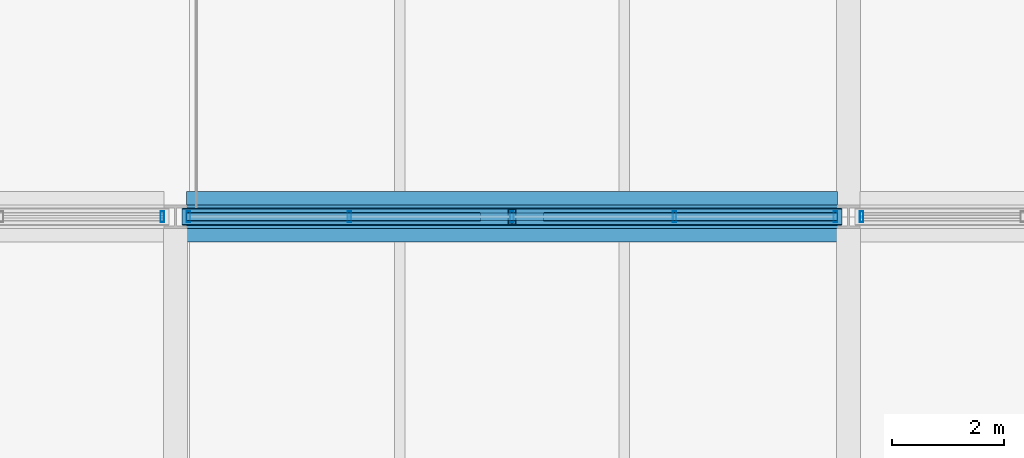
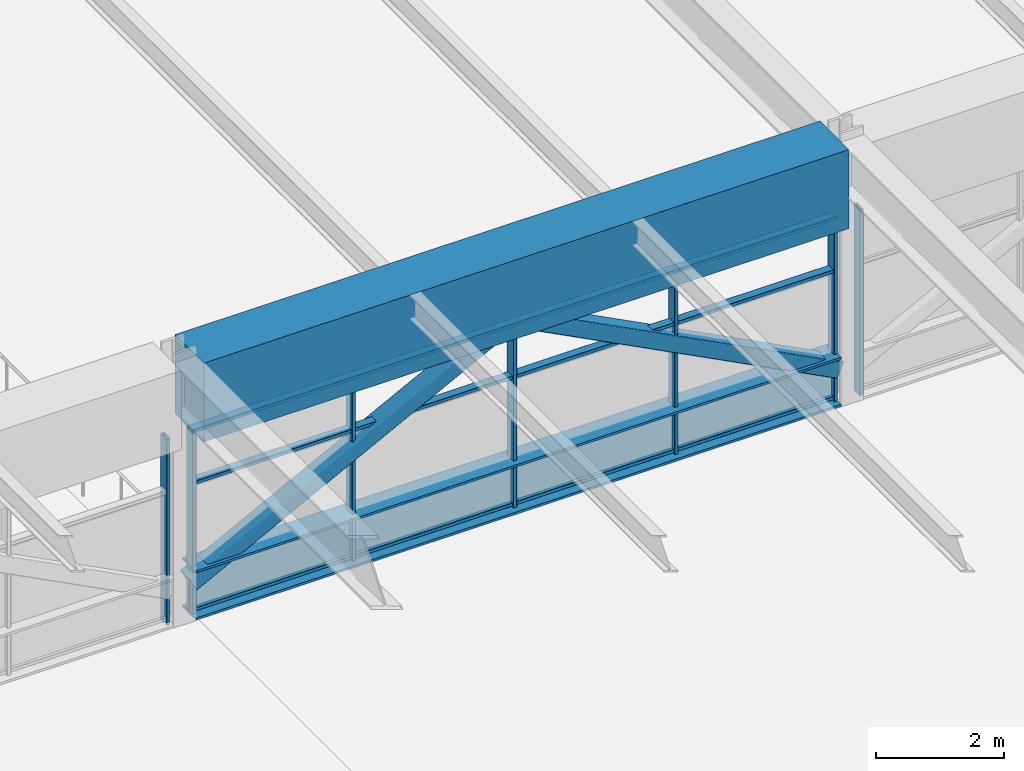
# One storey, part 24 of 42: 13 members, 1 beam, 3 elements without a shape of their own.
"""IFC4 building model written with IfcOpenShell, lengths in metres."""

from ifc_helpers import new_model, si_unit, direction, frame, origin, origin_2d, place, context, subcontext, project, spatial, rectangle, hollow_rectangle, i_section, extrude, material, material_profile, profile_set, type_object, element, aggregate, save


model = new_model("IFC4")

# Units and contexts
model_context = context("Model", 3, precision=1e-05, world=origin(), true_north=direction((0.0, 1.0)))
body_context = subcontext(model_context, "Body", "Model", "MODEL_VIEW")
ifc_project = project(units=[si_unit("LENGTHUNIT", "METRE"), si_unit("AREAUNIT", "SQUARE_METRE"), si_unit("VOLUMEUNIT", "CUBIC_METRE"), si_unit("PLANEANGLEUNIT", "RADIAN"), si_unit("MASSUNIT", "GRAM", prefix="KILO")], contexts=[model_context])

# Site, building, storey
site_placement = place(None, origin())
site = spatial("IfcSite", under=ifc_project, at=site_placement, CompositionType="ELEMENT")
building_placement = place(site_placement, origin())
building = spatial("IfcBuilding", under=site, at=building_placement, Name="Girod Span Mobility Hub", CompositionType="ELEMENT")
storey_placement = place(building_placement, frame((0.0, 0.0, 32.39990234375)))
storey = spatial("IfcBuildingStorey", under=building, at=storey_placement, Name="L08", CompositionType="ELEMENT", Elevation=32.39990234375)

# Beam
ifc_material_1 = material(Name="Concrete C50/60", Category="concrete")
ifc_material_profile_1 = material_profile(ifc_material_1, rectangle(XDim=0.89990234375, YDim=1.5, at=origin_2d()), Name="TG-900X1500")
ifc_profile_set_1 = profile_set([ifc_material_profile_1], Name="Concrete C50/60")
beam_type = type_object("IfcBeamType", Name="BM-TG-900X1500", PredefinedType="T_BEAM", material=ifc_profile_set_1)
beam_placement = place(storey_placement, frame((84.199951171875, 69.0, 4.2900390625), z_axis=(1.0, 0.0, 0.0), x_axis=(0.0, 1.0, 0.0)))
element("IfcBeam", 1, at=beam_placement, inside=storey, type_object=beam_type, Name="Girder 8-9/F L08", PredefinedType="T_BEAM", context=body_context, shape_type="SweptSolid", body=[
    extrude(rectangle(XDim=0.89990234375, YDim=1.5, at=origin_2d()), origin(), (0.0, 0.0, 1.0), 11.60009765625),
])

# Curtain wall, member
ifc_material_2 = material(Name="Thermally Broken Anodised Aluminium", Category="aluminium")
curtain_wall_type = type_object("IfcCurtainWallType", Name="CW-1160X354", PredefinedType="USERDEFINED", material=ifc_material_2)
curtain_wall_1_placement = place(storey_placement, origin())
curtain_wall_1 = element("IfcCurtainWall", 2, at=curtain_wall_1_placement, inside=storey, type_object=curtain_wall_type, Name="Unitised Curtain Wall CW-L08-N07 L08", ObjectType="UNITISED CURTAIN WALL", PredefinedType="USERDEFINED")
ifc_material_3 = material(Name="Thermally Broken Anodised Aluminium", Category="aluminium")
ifc_material_profile_2 = material_profile(ifc_material_3, hollow_rectangle(XDim=0.199951171875, YDim=0.06494140625, WallThickness=0.00390625, InnerFilletRadius=0.00390625, OuterFilletRadius=0.008056640625, at=origin_2d()), Name="CW-ML-65X200")
ifc_profile_set_2 = profile_set([ifc_material_profile_2], Name="Thermally Broken Anodised Aluminium")
member_type_1 = type_object("IfcMemberType", Name="CWM-ML-1", PredefinedType="MULLION", material=ifc_profile_set_2)
member_1_placement = place(storey_placement, frame((83.76708984375, 69.0, 0.0), z_axis=(0.0, 0.0, 1.0), x_axis=(0.0, 1.0, 0.0)))
member_1 = element("IfcMember", 3, at=member_1_placement, type_object=member_type_1, Name="Curtain Wall Mullion CW-L08-N07-M4", PredefinedType="MULLION", context=body_context, shape_type="SweptSolid", body=[
    extrude(hollow_rectangle(XDim=0.199951171875, YDim=0.06494140625, WallThickness=0.00390625, InnerFilletRadius=0.00390625, OuterFilletRadius=0.008056640625, at=origin_2d()), origin(), (0.0, 0.0, 1.0), 3.5400390625),
])
aggregate(curtain_wall_1, [member_1])

# Curtain wall, members
curtain_wall_2_placement = place(storey_placement, origin())
curtain_wall_2 = element("IfcCurtainWall", 4, at=curtain_wall_2_placement, inside=storey, type_object=curtain_wall_type, Name="Unitised Curtain Wall CW-L08-N08 L08", ObjectType="UNITISED CURTAIN WALL", PredefinedType="USERDEFINED")
member_2_placement = place(storey_placement, frame((84.23291015625, 69.0, 0.0), z_axis=(0.0, 0.0, 1.0), x_axis=(0.0, 1.0, 0.0)))
member_2 = element("IfcMember", 5, at=member_2_placement, type_object=member_type_1, Name="Curtain Wall Mullion CW-L08-N08-M0", PredefinedType="MULLION", context=body_context, shape_type="SweptSolid", body=[
    extrude(hollow_rectangle(XDim=0.199951171875, YDim=0.06494140625, WallThickness=0.00390625, InnerFilletRadius=0.00390625, OuterFilletRadius=0.008056640625, at=origin_2d()), origin(), (0.0, 0.0, 1.0), 3.5400390625),
])
member_3_placement = place(storey_placement, frame((87.1005859375, 69.0, 0.0), z_axis=(0.0, 0.0, 1.0), x_axis=(0.0, 1.0, 0.0)))
member_3 = element("IfcMember", 6, at=member_3_placement, type_object=member_type_1, Name="Curtain Wall Mullion CW-L08-N08-M1", PredefinedType="MULLION", context=body_context, shape_type="SweptSolid", body=[
    extrude(hollow_rectangle(XDim=0.199951171875, YDim=0.06494140625, WallThickness=0.00390625, InnerFilletRadius=0.00390625, OuterFilletRadius=0.008056640625, at=origin_2d()), origin(), (0.0, 0.0, 1.0), 3.5400390625),
])
member_4_placement = place(storey_placement, frame((90.0, 69.0, 0.0), z_axis=(0.0, 0.0, 1.0), x_axis=(0.0, 1.0, 0.0)))
member_4 = element("IfcMember", 7, at=member_4_placement, type_object=member_type_1, Name="Curtain Wall Mullion CW-L08-N08-M2", PredefinedType="MULLION", context=body_context, shape_type="SweptSolid", body=[
    extrude(hollow_rectangle(XDim=0.199951171875, YDim=0.06494140625, WallThickness=0.00390625, InnerFilletRadius=0.00390625, OuterFilletRadius=0.008056640625, at=origin_2d()), origin(), (0.0, 0.0, 1.0), 3.5400390625),
])
member_5_placement = place(storey_placement, frame((92.8994140625, 69.0, 0.0), z_axis=(0.0, 0.0, 1.0), x_axis=(0.0, 1.0, 0.0)))
member_5 = element("IfcMember", 8, at=member_5_placement, type_object=member_type_1, Name="Curtain Wall Mullion CW-L08-N08-M3", PredefinedType="MULLION", context=body_context, shape_type="SweptSolid", body=[
    extrude(hollow_rectangle(XDim=0.199951171875, YDim=0.06494140625, WallThickness=0.00390625, InnerFilletRadius=0.00390625, OuterFilletRadius=0.008056640625, at=origin_2d()), origin(), (0.0, 0.0, 1.0), 3.5400390625),
])
member_6_placement = place(storey_placement, frame((95.76708984375, 69.0, 0.0), z_axis=(0.0, 0.0, 1.0), x_axis=(0.0, 1.0, 0.0)))
member_6 = element("IfcMember", 9, at=member_6_placement, type_object=member_type_1, Name="Curtain Wall Mullion CW-L08-N08-M4", PredefinedType="MULLION", context=body_context, shape_type="SweptSolid", body=[
    extrude(hollow_rectangle(XDim=0.199951171875, YDim=0.06494140625, WallThickness=0.00390625, InnerFilletRadius=0.00390625, OuterFilletRadius=0.008056640625, at=origin_2d()), origin(), (0.0, 0.0, 1.0), 3.5400390625),
])

# Curtain wall, member
curtain_wall_3_placement = place(storey_placement, origin())
curtain_wall_3 = element("IfcCurtainWall", 10, at=curtain_wall_3_placement, inside=storey, type_object=curtain_wall_type, Name="Unitised Curtain Wall CW-L08-N09 L08", ObjectType="UNITISED CURTAIN WALL", PredefinedType="USERDEFINED")
member_7_placement = place(storey_placement, frame((96.23291015625, 69.0, 0.0), z_axis=(0.0, 0.0, 1.0), x_axis=(0.0, 1.0, 0.0)))
member_7 = element("IfcMember", 11, at=member_7_placement, type_object=member_type_1, Name="Curtain Wall Mullion CW-L08-N09-M0", PredefinedType="MULLION", context=body_context, shape_type="SweptSolid", body=[
    extrude(hollow_rectangle(XDim=0.199951171875, YDim=0.06494140625, WallThickness=0.00390625, InnerFilletRadius=0.00390625, OuterFilletRadius=0.008056640625, at=origin_2d()), origin(), (0.0, 0.0, 1.0), 3.5400390625),
])
aggregate(curtain_wall_3, [member_7])

# Member
ifc_material_4 = material(Name="Thermally Broken Anodised Aluminium", Category="aluminium")
ifc_material_profile_3 = material_profile(ifc_material_4, hollow_rectangle(XDim=0.14990234375, YDim=0.06494140625, WallThickness=0.00390625, InnerFilletRadius=0.00390625, OuterFilletRadius=0.008056640625, at=origin_2d()), Name="CW-TR-65X150")
ifc_profile_set_3 = profile_set([ifc_material_profile_3], Name="Thermally Broken Anodised Aluminium")
member_type_2 = type_object("IfcMemberType", Name="CWM-TR-1", PredefinedType="USERDEFINED", material=ifc_profile_set_3)
member_8_placement = place(storey_placement, frame((84.200927734375, 69.0, 0.107666015625), z_axis=(1.0, 0.0, 0.0), x_axis=(0.0, 1.0, 0.0)))
member_8 = element("IfcMember", 12, at=member_8_placement, type_object=member_type_2, Name="Curtain Wall Transom CW-L08-N08-T1", ObjectType="TRANSOM", PredefinedType="USERDEFINED", context=body_context, shape_type="SweptSolid", body=[
    extrude(hollow_rectangle(XDim=0.14990234375, YDim=0.06494140625, WallThickness=0.00390625, InnerFilletRadius=0.00390625, OuterFilletRadius=0.008056640625, at=origin_2d()), origin(), (0.0, 0.0, 1.0), 11.59814453125),
])

member_9_placement = place(storey_placement, frame((84.200927734375, 69.0, 2.516357421875), z_axis=(1.0, 0.0, 0.0), x_axis=(0.0, 1.0, 0.0)))
member_9 = element("IfcMember", 13, at=member_9_placement, type_object=member_type_2, Name="Curtain Wall Transom CW-L08-N08-T2", ObjectType="TRANSOM", PredefinedType="USERDEFINED", context=body_context, shape_type="SweptSolid", body=[
    extrude(hollow_rectangle(XDim=0.14990234375, YDim=0.06494140625, WallThickness=0.00390625, InnerFilletRadius=0.00390625, OuterFilletRadius=0.008056640625, at=origin_2d()), origin(), (0.0, 0.0, 1.0), 11.59814453125),
])

member_10_placement = place(storey_placement, frame((84.200927734375, 69.0, 3.507568359375), z_axis=(1.0, 0.0, 0.0), x_axis=(0.0, 1.0, 0.0)))
member_10 = element("IfcMember", 14, at=member_10_placement, type_object=member_type_2, Name="Curtain Wall Transom CW-L08-N08-T3", ObjectType="TRANSOM", PredefinedType="USERDEFINED", context=body_context, shape_type="SweptSolid", body=[
    extrude(hollow_rectangle(XDim=0.14990234375, YDim=0.06494140625, WallThickness=0.00390625, InnerFilletRadius=0.00390625, OuterFilletRadius=0.008056640625, at=origin_2d()), origin(), (0.0, 0.0, 1.0), 11.59814453125),
])

aggregate(curtain_wall_2, [member_2, member_3, member_4, member_5, member_6, member_8, member_9, member_10])

# Members
ifc_material_5 = material(Name="Steel HSS A500 Grade C", Category="steel")
ifc_material_profile_4 = material_profile(ifc_material_5, hollow_rectangle(XDim=0.304931640625, YDim=0.304931640625, WallThickness=0.014892578125, InnerFilletRadius=0.014892578125, OuterFilletRadius=0.029541015625, at=origin_2d()), Name="HSS305X305X16")
ifc_profile_set_4 = profile_set([ifc_material_profile_4], Name="Steel HSS A500 Grade C")
member_type_3 = type_object("IfcMemberType", Name="MB-BR-HSS305", PredefinedType="BRACE", material=ifc_profile_set_4)
for number, where, z_axis, x_axis, name in (
    (15, (84.18310546875, 69.0, 0.650146484375), (0.888138427159, 0.0, 0.459576037457), (0.0, 1.0, 0.0), "Warren Transfer Truss Web Diagonal Y=69 8-L"),
    (16, (95.81689453125, 69.0, 0.650146484375), (-0.888138427159, 0.0, 0.459576037457), (0.0, -1.0, 0.0), "Warren Transfer Truss Web Diagonal Y=69 8-R"),
):
    element("IfcMember", number, at=place(storey_placement, frame(where, z_axis=z_axis, x_axis=x_axis)), inside=storey, type_object=member_type_3, Name=name, PredefinedType="BRACE", context=body_context, shape_type="SweptSolid", body=[
        extrude(hollow_rectangle(XDim=0.304931640625, YDim=0.304931640625, WallThickness=0.014892578125, InnerFilletRadius=0.014892578125, OuterFilletRadius=0.029541015625, at=origin_2d()), origin(), (0.0, 0.0, 1.0), 6.549560546875),
    ])
ifc_material_6 = material(Name="Steel A992 Grade 50", Category="steel")
ifc_material_profile_5 = material_profile(ifc_material_6, i_section(OverallWidth=0.423095703125, OverallDepth=0.93994140625, WebThickness=0.02392578125, FlangeThickness=0.042724609375, FilletRadius=0.02392578125, at=origin_2d()), Name="W36X302")
ifc_profile_set_5 = profile_set([ifc_material_profile_5], Name="Steel A992 Grade 50")
member_type_4 = type_object("IfcMemberType", Name="MB-CH-W36X302", PredefinedType="CHORD", material=ifc_profile_set_5)
member_11_placement = place(storey_placement, frame((84.199951171875, 69.0, 0.47998046875), z_axis=(1.0, 0.0, 0.0), x_axis=(0.0, 1.0, 0.0)))
element("IfcMember", 17, at=member_11_placement, inside=storey, type_object=member_type_4, Name="Warren Transfer Truss Bottom Chord Y=69 Bay 8", PredefinedType="CHORD", context=body_context, shape_type="SweptSolid", body=[
    extrude(i_section(OverallWidth=0.423095703125, OverallDepth=0.93994140625, WebThickness=0.02392578125, FlangeThickness=0.042724609375, FilletRadius=0.02392578125, at=origin_2d()), origin(), (0.0, 0.0, 1.0), 11.60009765625),
])

save(model, "model.ifc")
